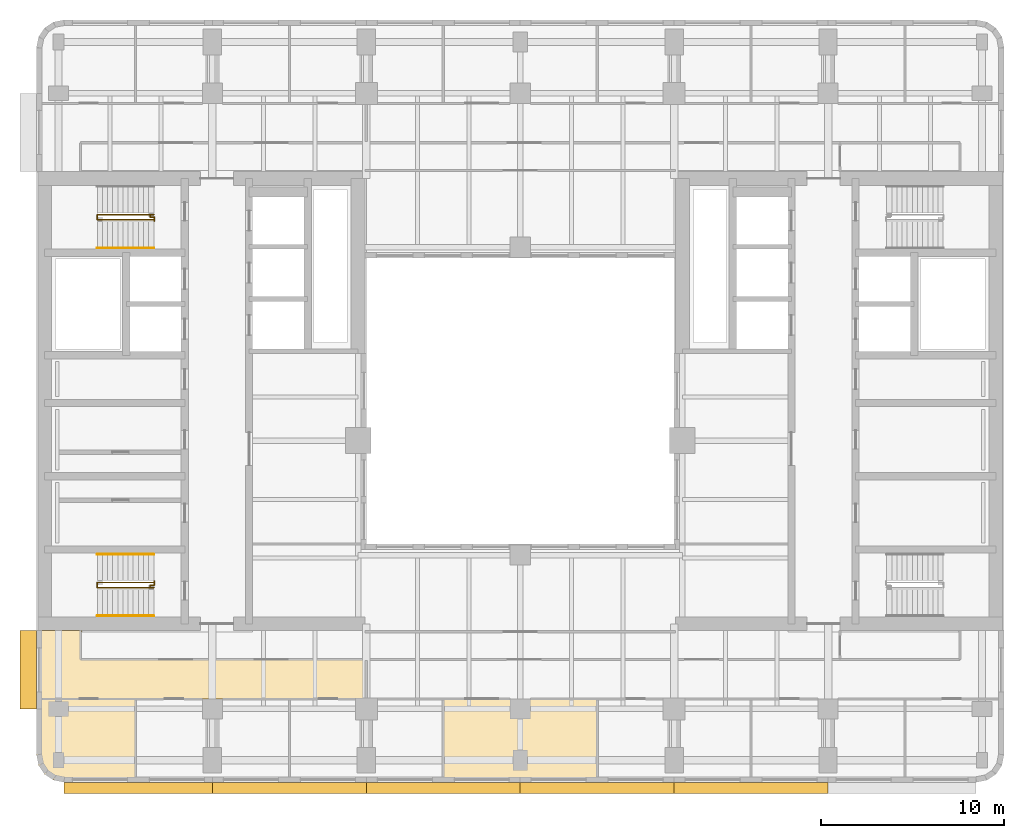
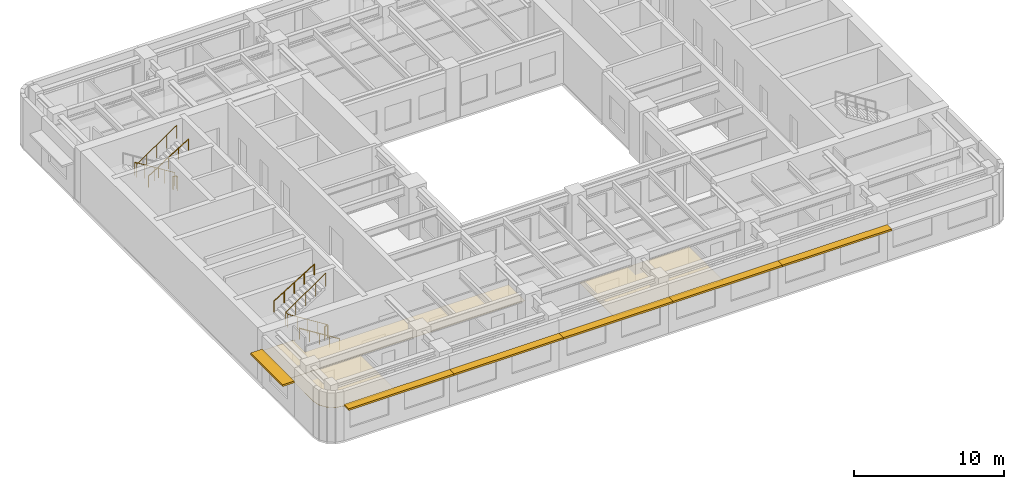
# One storey, part 9 of 11: 7 railings, 6 shading devices, 3 coverings.
"""IFC4 building model written with IfcOpenShell, lengths in metres."""

from ifc_helpers import new_model, si_unit, direction, frame, origin, origin_2d, place, context, subcontext, project, spatial, polyline, rectangle, circle, outline, extrude, material, layer, layer_set, type_object, element, save


model = new_model("IFC4")

# Units and contexts
model_context = context("Model", 3, precision=1e-05, world=origin(), true_north=direction((0.0, 1.0)))
body_context = subcontext(model_context, "Body", "Model", "MODEL_VIEW")
ifc_project = project(units=[si_unit("LENGTHUNIT", "METRE"), si_unit("AREAUNIT", "SQUARE_METRE"), si_unit("VOLUMEUNIT", "CUBIC_METRE"), si_unit("PLANEANGLEUNIT", "RADIAN"), si_unit("MASSUNIT", "GRAM", prefix="KILO")], contexts=[model_context])

# Site, building, storey
site_placement = place(None, origin())
site = spatial("IfcSite", under=ifc_project, at=site_placement, CompositionType="ELEMENT")
building_placement = place(site_placement, origin())
building = spatial("IfcBuilding", under=site, at=building_placement, Name="Claustro Exchange Tower", CompositionType="ELEMENT")
storey_placement = place(building_placement, frame((0.0, 0.0, 240.60009765625)))
storey = spatial("IfcBuildingStorey", under=building, at=storey_placement, Name="L55", CompositionType="ELEMENT", Elevation=240.60009765625)

# Coverings
ifc_material_1 = material(Name="Perforated metal ceiling tiles", Category="steel")
ifc_layer_1 = layer(ifc_material_1, 0.030029296875)
ifc_layer_set_1 = layer_set([ifc_layer_1], Name="Perforated metal ceiling tiles")
covering_type_1 = type_object("IfcCoveringType", Name="CL1 suspended metal ceiling", PredefinedType="CEILING", material=ifc_layer_set_1)
covering_1_placement = place(storey_placement, frame((0.0, 0.0, 2.7998046875)))
element("IfcCovering", 1, at=covering_1_placement, inside=storey, type_object=covering_type_1, Name="Ceiling CL1 L55-09", PredefinedType="CEILING", context=body_context, shape_type="SweptSolid", body=[
    extrude(outline(polyline([(1.199951171875, 11.10009765625), (1.199951171875, 12.60009765625), (1.294921875, 12.60009765625), (1.294921875, 12.675048828125), (-1.125, 12.675048828125), (-1.125, 12.695068359375), (-1.199951171875, 12.695068359375), (-1.199951171875, 8.949951171875), (16.800048828125, 8.949951171875), (16.800048828125, 11.10009765625), (1.199951171875, 11.10009765625)])), origin(), (0.0, 0.0, 1.0), 0.030029296875),
])
ifc_material_2 = material(Name="Gypsum board ceiling", Category="gypsum board")
ifc_layer_2 = layer(ifc_material_2, 0.02490234375)
ifc_layer_set_2 = layer_set([ifc_layer_2], Name="Gypsum board ceiling")
covering_type_2 = type_object("IfcCoveringType", Name="CL2 plasterboard ceiling", PredefinedType="CEILING", material=ifc_layer_set_2)
covering_2_placement = place(storey_placement, frame((0.0, 0.0, 2.7998046875)))
element("IfcCovering", 2, at=covering_2_placement, inside=storey, type_object=covering_type_2, Name="Ceiling CL2 L55-01", PredefinedType="CEILING", context=body_context, shape_type="SweptSolid", body=[
    extrude(outline(polyline([(-1.085693359375, 5.325927734375), (-0.7607421875, 4.83935546875), (-0.27392578125, 4.51416015625), (0.300048828125, 4.39990234375), (4.199951171875, 4.39990234375), (4.199951171875, 8.949951171875), (-1.199951171875, 8.949951171875), (-1.199951171875, 5.89990234375), (-1.085693359375, 5.325927734375)])), origin(), (0.0, 0.0, 1.0), 0.025146484375),
])
covering_3_placement = place(storey_placement, frame((0.0, 0.0, 2.7998046875)))
element("IfcCovering", 3, at=covering_3_placement, inside=storey, type_object=covering_type_2, Name="Ceiling CL2 L55-04", PredefinedType="CEILING", context=body_context, shape_type="SweptSolid", body=[
    extrude(outline(polyline([(21.0, 4.39990234375), (29.39990234375, 4.39990234375), (29.39990234375, 8.949951171875), (21.0, 8.949951171875), (21.0, 4.39990234375)])), origin(), (0.0, 0.0, 1.0), 0.025146484375),
])

# Railings
ifc_material_3 = material(Name="Steel balustrade, painted", Category="steel")
railing_type_1 = type_object("IfcRailingType", Name="GR2 1100 steel stair guard", PredefinedType="GUARDRAIL", material=ifc_material_3)
railing_1_placement = place(storey_placement, frame((5.199951171875, 15.02490234375, 0.1748046875)))
element("IfcRailing", 4, at=railing_1_placement, inside=storey, type_object=railing_type_1, Name="Stair well guard GR2 stair STWA L55", PredefinedType="GUARDRAIL", context=body_context, shape_type="SweptSolid", body=[
    extrude(circle(Radius=0.02392578125, at=origin_2d()), frame((0.0, 0.0, 1.076171875), z_axis=(-0.847979421464, 0.0, 0.530029150871), x_axis=(0.0, -1.0, 0.0)), (0.0, 0.0, 1.0), 3.632080078125),
    extrude(circle(Radius=0.02392578125, at=origin_2d()), frame((-3.079833984375, 0.0, 3.0009765625), z_axis=(0.0, 1.0, 0.0), x_axis=(-1.0, 0.0, 0.0)), (0.0, 0.0, 1.0), 0.275146484375),
    extrude(circle(Radius=0.02392578125, at=origin_2d()), frame((-3.079833984375, 0.275146484375, 3.0009765625), z_axis=(0.826201015165, 0.0, 0.563375436579), x_axis=(0.0, 1.0, 0.0)), (0.0, 0.0, 1.0), 3.727783203125),
    extrude(circle(Radius=0.02099609375, at=origin_2d()), origin(), (0.0, 0.0, 1.0), 1.052001953125),
    extrude(circle(Radius=0.02099609375, at=origin_2d()), frame((-0.77001953125, 0.0, 0.481201171875)), (0.0, 0.0, 1.0), 1.052001953125),
    extrude(circle(Radius=0.02099609375, at=origin_2d()), frame((-1.5400390625, 0.0, 0.96240234375)), (0.0, 0.0, 1.0), 1.052001953125),
    extrude(circle(Radius=0.02099609375, at=origin_2d()), frame((-2.309814453125, 0.0, 1.44384765625)), (0.0, 0.0, 1.0), 1.052001953125),
    extrude(circle(Radius=0.02099609375, at=origin_2d()), frame((-3.079833984375, 0.0, 1.925048828125)), (0.0, 0.0, 1.0), 1.052001953125),
    extrude(circle(Radius=0.02099609375, at=origin_2d()), frame((-3.079833984375, 0.275146484375, 1.925048828125)), (0.0, 0.0, 1.0), 1.052001953125),
    extrude(circle(Radius=0.02099609375, at=origin_2d()), frame((-2.309814453125, 0.275146484375, 2.4501953125)), (0.0, 0.0, 1.0), 1.052001953125),
    extrude(circle(Radius=0.02099609375, at=origin_2d()), frame((-1.5400390625, 0.275146484375, 2.97509765625)), (0.0, 0.0, 1.0), 1.052001953125),
    extrude(circle(Radius=0.02099609375, at=origin_2d()), frame((-0.77001953125, 0.275146484375, 3.5)), (0.0, 0.0, 1.0), 1.052001953125),
    extrude(circle(Radius=0.02099609375, at=origin_2d()), frame((0.0, 0.275146484375, 4.025146484375)), (0.0, 0.0, 1.0), 1.052001953125),
])
railing_2_placement = place(storey_placement, frame((5.0, 15.094970703125, 0.0)))
element("IfcRailing", 5, at=railing_2_placement, inside=storey, type_object=railing_type_1, Name="Stair guard GR2 STWA L55", PredefinedType="GUARDRAIL", context=body_context, shape_type="SweptSolid", body=[
    extrude(circle(Radius=0.02392578125, at=origin_2d()), frame((0.0, 0.0, 1.076171875), z_axis=(0.0, 1.0, 0.0), x_axis=(-1.0, 0.0, 0.0)), (0.0, 0.0, 1.0), 0.067626953125),
    extrude(circle(Radius=0.02392578125, at=origin_2d()), frame((0.0, 0.067626953125, 1.076171875), z_axis=(1.0, 0.0, 0.0), x_axis=(0.0, 1.0, 0.0)), (0.0, 0.0, 1.0), 0.22509765625),
    extrude(circle(Radius=0.02392578125, at=origin_2d()), frame((0.22509765625, 0.067626953125, 1.076171875), z_axis=(0.0, 1.0, 0.0), x_axis=(-1.0, 0.0, 0.0)), (0.0, 0.0, 1.0), 0.21728515625),
    extrude(circle(Radius=0.02099609375, at=origin_2d()), origin(), (0.0, 0.0, 1.0), 1.052001953125),
    extrude(circle(Radius=0.02099609375, at=origin_2d()), frame((0.0, 0.067626953125, 0.0)), (0.0, 0.0, 1.0), 1.052001953125),
    extrude(circle(Radius=0.02099609375, at=origin_2d()), frame((0.22509765625, 0.067626953125, 0.0)), (0.0, 0.0, 1.0), 1.052001953125),
    extrude(circle(Radius=0.02099609375, at=origin_2d()), frame((0.22509765625, 0.284912109375, 0.0)), (0.0, 0.0, 1.0), 1.052001953125),
])
railing_3_placement = place(storey_placement, frame((5.199951171875, 35.375, 0.1748046875)))
element("IfcRailing", 6, at=railing_3_placement, inside=storey, type_object=railing_type_1, Name="Stair well guard GR2 stair STWB L55", PredefinedType="GUARDRAIL", context=body_context, shape_type="SweptSolid", body=[
    extrude(circle(Radius=0.02392578125, at=origin_2d()), frame((0.0, 0.0, 1.076171875), z_axis=(-0.847979421464, 0.0, 0.530029150871), x_axis=(0.0, -1.0, 0.0)), (0.0, 0.0, 1.0), 3.632080078125),
    extrude(circle(Radius=0.02392578125, at=origin_2d()), frame((-3.079833984375, 0.0, 3.0009765625), z_axis=(0.0, -1.0, 0.0), x_axis=(1.0, 0.0, 0.0)), (0.0, 0.0, 1.0), 0.27490234375),
    extrude(circle(Radius=0.02392578125, at=origin_2d()), frame((-3.079833984375, -0.27490234375, 3.0009765625), z_axis=(0.826201015165, 0.0, 0.563375436579), x_axis=(0.0, 1.0, 0.0)), (0.0, 0.0, 1.0), 3.727783203125),
    extrude(circle(Radius=0.02099609375, at=origin_2d()), origin(), (0.0, 0.0, 1.0), 1.052001953125),
    extrude(circle(Radius=0.02099609375, at=origin_2d()), frame((-0.77001953125, 0.0, 0.481201171875)), (0.0, 0.0, 1.0), 1.052001953125),
    extrude(circle(Radius=0.02099609375, at=origin_2d()), frame((-1.5400390625, 0.0, 0.96240234375)), (0.0, 0.0, 1.0), 1.052001953125),
    extrude(circle(Radius=0.02099609375, at=origin_2d()), frame((-2.309814453125, 0.0, 1.44384765625)), (0.0, 0.0, 1.0), 1.052001953125),
    extrude(circle(Radius=0.02099609375, at=origin_2d()), frame((-3.079833984375, 0.0, 1.925048828125)), (0.0, 0.0, 1.0), 1.052001953125),
    extrude(circle(Radius=0.02099609375, at=origin_2d()), frame((-3.079833984375, -0.27490234375, 1.925048828125)), (0.0, 0.0, 1.0), 1.052001953125),
    extrude(circle(Radius=0.02099609375, at=origin_2d()), frame((-2.309814453125, -0.27490234375, 2.4501953125)), (0.0, 0.0, 1.0), 1.052001953125),
    extrude(circle(Radius=0.02099609375, at=origin_2d()), frame((-1.5400390625, -0.27490234375, 2.97509765625)), (0.0, 0.0, 1.0), 1.052001953125),
    extrude(circle(Radius=0.02099609375, at=origin_2d()), frame((-0.77001953125, -0.27490234375, 3.5)), (0.0, 0.0, 1.0), 1.052001953125),
    extrude(circle(Radius=0.02099609375, at=origin_2d()), frame((0.0, -0.27490234375, 4.025146484375)), (0.0, 0.0, 1.0), 1.052001953125),
])
railing_4_placement = place(storey_placement, frame((5.0, 35.304931640625, 0.0)))
element("IfcRailing", 7, at=railing_4_placement, inside=storey, type_object=railing_type_1, Name="Stair guard GR2 STWB L55", PredefinedType="GUARDRAIL", context=body_context, shape_type="SweptSolid", body=[
    extrude(circle(Radius=0.02392578125, at=origin_2d()), frame((0.0, 0.0, 1.076171875), z_axis=(0.0, -1.0, 0.0), x_axis=(1.0, 0.0, 0.0)), (0.0, 0.0, 1.0), 0.0673828125),
    extrude(circle(Radius=0.02392578125, at=origin_2d()), frame((0.0, -0.0673828125, 1.076171875), z_axis=(1.0, 0.0, 0.0), x_axis=(0.0, 1.0, 0.0)), (0.0, 0.0, 1.0), 0.22509765625),
    extrude(circle(Radius=0.02392578125, at=origin_2d()), frame((0.22509765625, -0.0673828125, 1.076171875), z_axis=(0.0, -1.0, 0.0), x_axis=(1.0, 0.0, 0.0)), (0.0, 0.0, 1.0), 0.217529296875),
    extrude(circle(Radius=0.02099609375, at=origin_2d()), origin(), (0.0, 0.0, 1.0), 1.052001953125),
    extrude(circle(Radius=0.02099609375, at=origin_2d()), frame((0.0, -0.0673828125, 0.0)), (0.0, 0.0, 1.0), 1.052001953125),
    extrude(circle(Radius=0.02099609375, at=origin_2d()), frame((0.22509765625, -0.0673828125, 0.0)), (0.0, 0.0, 1.0), 1.052001953125),
    extrude(circle(Radius=0.02099609375, at=origin_2d()), frame((0.22509765625, -0.284912109375, 0.0)), (0.0, 0.0, 1.0), 1.052001953125),
])
ifc_material_4 = material(Name="Stainless steel tube", Category="steel")
railing_type_2 = type_object("IfcRailingType", Name="HR1 900 stair handrail", PredefinedType="HANDRAIL", material=ifc_material_4)
railing_5_placement = place(storey_placement, frame((5.199951171875, 13.485107421875, 0.1748046875)))
element("IfcRailing", 8, at=railing_5_placement, inside=storey, type_object=railing_type_2, Name="Handrail HR1 stair STWA L55", PredefinedType="HANDRAIL", context=body_context, shape_type="SweptSolid", body=[
    extrude(circle(Radius=0.02392578125, at=origin_2d()), frame((0.0, 0.0, 0.8759765625), z_axis=(-0.847979421464, 0.0, 0.530029150871), x_axis=(0.0, -1.0, 0.0)), (0.0, 0.0, 1.0), 3.632080078125),
    extrude(circle(Radius=0.02099609375, at=origin_2d()), origin(), (0.0, 0.0, 1.0), 0.851806640625),
    extrude(circle(Radius=0.02099609375, at=origin_2d()), frame((-0.77001953125, 0.0, 0.481201171875)), (0.0, 0.0, 1.0), 0.851806640625),
    extrude(circle(Radius=0.02099609375, at=origin_2d()), frame((-1.5400390625, 0.0, 0.96240234375)), (0.0, 0.0, 1.0), 0.851806640625),
    extrude(circle(Radius=0.02099609375, at=origin_2d()), frame((-2.309814453125, 0.0, 1.44384765625)), (0.0, 0.0, 1.0), 0.851806640625),
    extrude(circle(Radius=0.02099609375, at=origin_2d()), frame((-3.079833984375, 0.0, 1.925048828125)), (0.0, 0.0, 1.0), 0.851806640625),
])
for number, where, name in (
    (9, (2.1201171875, 16.840087890625, 2.27490234375), "Handrail HR1 stair STWA L55"),
    (10, (2.1201171875, 33.56005859375, 2.27490234375), "Handrail HR1 stair STWB L55"),
):
    element("IfcRailing", number, at=place(storey_placement, frame(where)), inside=storey, type_object=railing_type_2, Name=name, PredefinedType="HANDRAIL", context=body_context, shape_type="SweptSolid", body=[
        extrude(circle(Radius=0.02392578125, at=origin_2d()), frame((0.0, 0.0, 0.8759765625), z_axis=(0.847979421464, 0.0, 0.530029150871), x_axis=(0.0, 1.0, 0.0)), (0.0, 0.0, 1.0), 3.632080078125),
        extrude(circle(Radius=0.02099609375, at=origin_2d()), origin(), (0.0, 0.0, 1.0), 0.851806640625),
        extrude(circle(Radius=0.02099609375, at=origin_2d()), frame((0.77001953125, 0.0, 0.481201171875)), (0.0, 0.0, 1.0), 0.851806640625),
        extrude(circle(Radius=0.02099609375, at=origin_2d()), frame((1.5400390625, 0.0, 0.96240234375)), (0.0, 0.0, 1.0), 0.851806640625),
        extrude(circle(Radius=0.02099609375, at=origin_2d()), frame((2.309814453125, 0.0, 1.44384765625)), (0.0, 0.0, 1.0), 0.851806640625),
        extrude(circle(Radius=0.02099609375, at=origin_2d()), frame((3.079833984375, 0.0, 1.925048828125)), (0.0, 0.0, 1.0), 0.851806640625),
    ])

# Shading devices
ifc_material_5 = material(Name="Concrete HA-40 (C40/50), precast, white cement, acid-etched", Category="concrete")
ifc_layer_3 = layer(ifc_material_5, 0.14990234375)
ifc_layer_set_3 = layer_set([ifc_layer_3], Name="Concrete HA-40 (C40/50), precast, white cement, acid-etched")
shading_device_type_1 = type_object("IfcShadingDeviceType", Name="SS1 600 precast concrete SUNSHADE", PredefinedType="SHUTTER", material=ifc_layer_set_3)
for number, where, z_axis, x_axis, name in (
    (11, (37.800048828125, 4.10009765625, 2.800048828125), (0.0, 0.0, 1.0), (-1.0, 0.0, 0.0), "Precast SUNSHADE SS1 L55"),
    (12, (29.39990234375, 4.10009765625, 2.800048828125), (0.0, 0.0, 1.0), (-1.0, 0.0, 0.0), "Precast SUNSHADE SS1 L55"),
    (13, (21.0, 4.10009765625, 2.800048828125), (0.0, 0.0, 1.0), (-1.0, 0.0, 0.0), "Precast SUNSHADE SS1 L55"),
    (14, (12.60009765625, 4.10009765625, 2.800048828125), (0.0, 0.0, 1.0), (-1.0, 0.0, 0.0), "Precast SUNSHADE SS1 L55"),
):
    element("IfcShadingDevice", number, at=place(storey_placement, frame(where, z_axis=z_axis, x_axis=x_axis)), inside=storey, type_object=shading_device_type_1, Name=name, PredefinedType="SHUTTER", context=body_context, shape_type="SweptSolid", body=[
        extrude(rectangle(XDim=8.39990234375, YDim=0.60009765625, at=origin_2d()), origin(), (0.0, 0.0, 1.0), 0.14990234375),
    ])
shading_device_1_placement = place(storey_placement, frame((4.357421875, 4.10009765625, 2.800048828125), z_axis=(0.0, 0.0, 1.0), x_axis=(-1.0, 0.0, 0.0)))
element("IfcShadingDevice", 15, at=shading_device_1_placement, inside=storey, type_object=shading_device_type_1, Name="Precast SUNSHADE SS1 L55", PredefinedType="SHUTTER", context=body_context, shape_type="SweptSolid", body=[
    extrude(rectangle(XDim=8.085205078125, YDim=0.60009765625, at=origin_2d()), origin(), (0.0, 0.0, 1.0), 0.14990234375),
])
ifc_material_6 = material(Name="Concrete HA-40 (C40/50), precast, white cement, acid-etched", Category="concrete")
ifc_layer_4 = layer(ifc_material_6, 0.14990234375)
ifc_layer_set_4 = layer_set([ifc_layer_4], Name="Concrete HA-40 (C40/50), precast, white cement, acid-etched")
shading_device_type_2 = type_object("IfcShadingDeviceType", Name="SS2 900 precast concrete SUNSHADE", PredefinedType="SHUTTER", material=ifc_layer_set_4)
shading_device_2_placement = place(storey_placement, frame((-1.64990234375, 10.53759765625, 2.800048828125), z_axis=(0.0, 0.0, 1.0), x_axis=(0.0, 1.0, 0.0)))
element("IfcShadingDevice", 16, at=shading_device_2_placement, inside=storey, type_object=shading_device_type_2, Name="Precast SUNSHADE SS2 L55", PredefinedType="SHUTTER", context=body_context, shape_type="SweptSolid", body=[
    extrude(rectangle(XDim=4.27490234375, YDim=0.89990234375, at=origin_2d()), origin(), (0.0, 0.0, 1.0), 0.14990234375),
])

save(model, "model.ifc")
